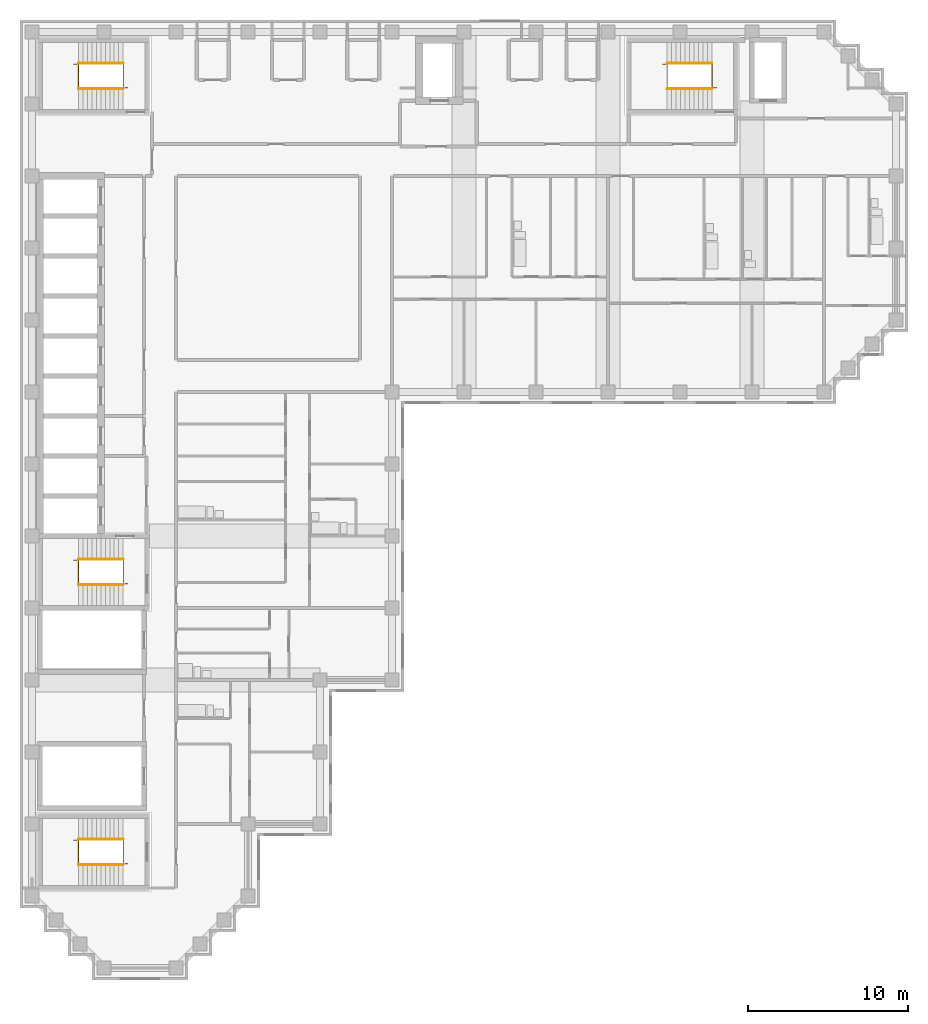
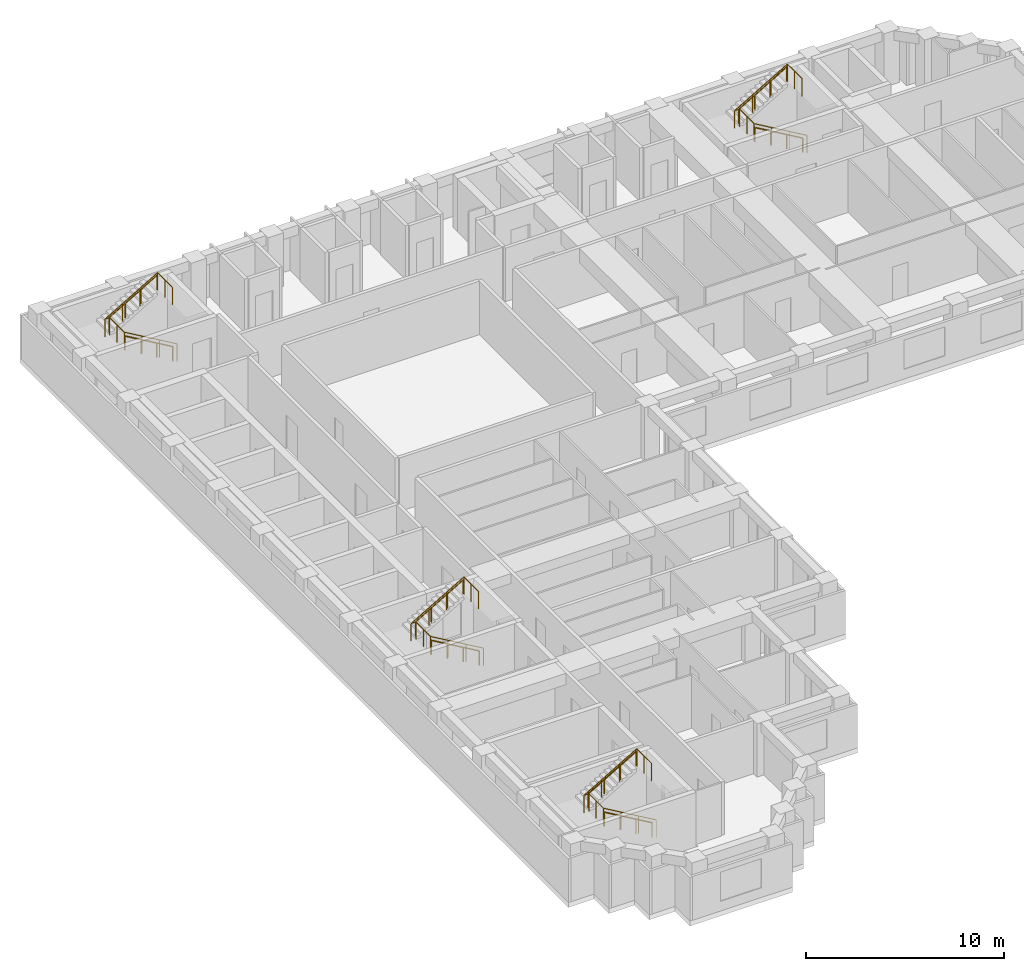
# One storey, part 9 of 10: 12 railings.
"""IFC4 building model written with IfcOpenShell, lengths in metres."""

from ifc_helpers import new_model, si_unit, direction, frame, origin, origin_2d, place, context, subcontext, project, spatial, circle, extrude, material, type_object, element, save


model = new_model("IFC4")

# Units and contexts
model_context = context("Model", 3, precision=1e-05, world=origin(), true_north=direction((0.0, 1.0)))
body_context = subcontext(model_context, "Body", "Model", "MODEL_VIEW")
ifc_project = project(units=[si_unit("LENGTHUNIT", "METRE"), si_unit("AREAUNIT", "SQUARE_METRE"), si_unit("VOLUMEUNIT", "CUBIC_METRE"), si_unit("PLANEANGLEUNIT", "RADIAN"), si_unit("MASSUNIT", "GRAM", prefix="KILO")], contexts=[model_context])

# Site, building, storey
site_placement = place(None, origin())
site = spatial("IfcSite", under=ifc_project, at=site_placement, CompositionType="ELEMENT")
building_placement = place(site_placement, origin())
building = spatial("IfcBuilding", under=site, at=building_placement, Name="Firuza Court", CompositionType="ELEMENT")
storey_placement = place(building_placement, frame((0.0, 0.0, 189.800048828125)))
storey = spatial("IfcBuildingStorey", under=building, at=storey_placement, Name="L48", CompositionType="ELEMENT", Elevation=189.800048828125)

# Railings
ifc_material_1 = material(Name="Steel S355", Category="steel")
railing_type_1 = type_object("IfcRailingType", Name="Handrail 900", PredefinedType="HANDRAIL", material=ifc_material_1)
railing_1_placement = place(storey_placement, frame((42.5, 54.949951171875, 0.16357421875)))
element("IfcRailing", 1, at=railing_1_placement, inside=storey, type_object=railing_type_1, Name="Handrail S1 flight 1", PredefinedType="HANDRAIL", context=body_context, shape_type="SweptSolid", body=[
    extrude(circle(Radius=0.02490234375, at=origin_2d()), frame((0.0, 0.0, 0.875), z_axis=(-0.863360870873, 0.0, 0.504586966384), x_axis=(0.0, -1.0, 0.0)), (0.0, 0.0, 1.0), 3.2431640625),
    extrude(circle(Radius=0.02001953125, at=origin_2d()), origin(), (0.0, 0.0, 1.0), 0.849853515625),
    extrude(circle(Radius=0.02001953125, at=origin_2d()), frame((-0.933349609375, 0.0, 0.54541015625)), (0.0, 0.0, 1.0), 0.849853515625),
    extrude(circle(Radius=0.02001953125, at=origin_2d()), frame((-1.86669921875, 0.0, 1.091064453125)), (0.0, 0.0, 1.0), 0.849853515625),
    extrude(circle(Radius=0.02001953125, at=origin_2d()), frame((-2.800048828125, 0.0, 1.636474609375)), (0.0, 0.0, 1.0), 0.849853515625),
])
railing_2_placement = place(storey_placement, frame((39.699951171875, 56.550048828125, 1.963623046875)))
element("IfcRailing", 2, at=railing_2_placement, inside=storey, type_object=railing_type_1, Name="Handrail S1 flight 2", PredefinedType="HANDRAIL", context=body_context, shape_type="SweptSolid", body=[
    extrude(circle(Radius=0.02490234375, at=origin_2d()), frame((0.0, 0.0, 0.875), z_axis=(0.863393664356, 0.0, 0.504530851732), x_axis=(0.0, 1.0, 0.0)), (0.0, 0.0, 1.0), 3.2431640625),
    extrude(circle(Radius=0.02001953125, at=origin_2d()), origin(), (0.0, 0.0, 1.0), 0.849853515625),
    extrude(circle(Radius=0.02001953125, at=origin_2d()), frame((0.933349609375, 0.0, 0.54541015625)), (0.0, 0.0, 1.0), 0.849853515625),
    extrude(circle(Radius=0.02001953125, at=origin_2d()), frame((1.86669921875, 0.0, 1.0908203125)), (0.0, 0.0, 1.0), 0.849853515625),
    extrude(circle(Radius=0.02001953125, at=origin_2d()), frame((2.800048828125, 0.0, 1.63623046875)), (0.0, 0.0, 1.0), 0.849853515625),
])
railing_3_placement = place(storey_placement, frame((5.699951171875, 23.949951171875, 0.16357421875)))
element("IfcRailing", 3, at=railing_3_placement, inside=storey, type_object=railing_type_1, Name="Handrail S2 flight 1", PredefinedType="HANDRAIL", context=body_context, shape_type="SweptSolid", body=[
    extrude(circle(Radius=0.02490234375, at=origin_2d()), frame((0.0, 0.0, 0.875), z_axis=(-0.863360870873, 0.0, 0.504586966384), x_axis=(0.0, -1.0, 0.0)), (0.0, 0.0, 1.0), 3.2431640625),
    extrude(circle(Radius=0.02001953125, at=origin_2d()), origin(), (0.0, 0.0, 1.0), 0.849853515625),
    extrude(circle(Radius=0.02001953125, at=origin_2d()), frame((-0.933349609375, 0.0, 0.54541015625)), (0.0, 0.0, 1.0), 0.849853515625),
    extrude(circle(Radius=0.02001953125, at=origin_2d()), frame((-1.86669921875, 0.0, 1.091064453125)), (0.0, 0.0, 1.0), 0.849853515625),
    extrude(circle(Radius=0.02001953125, at=origin_2d()), frame((-2.800048828125, 0.0, 1.636474609375)), (0.0, 0.0, 1.0), 0.849853515625),
])
railing_4_placement = place(storey_placement, frame((2.89990234375, 25.550048828125, 1.963623046875)))
element("IfcRailing", 4, at=railing_4_placement, inside=storey, type_object=railing_type_1, Name="Handrail S2 flight 2", PredefinedType="HANDRAIL", context=body_context, shape_type="SweptSolid", body=[
    extrude(circle(Radius=0.02490234375, at=origin_2d()), frame((0.0, 0.0, 0.875), z_axis=(0.863393664356, 0.0, 0.504530851732), x_axis=(0.0, 1.0, 0.0)), (0.0, 0.0, 1.0), 3.2431640625),
    extrude(circle(Radius=0.02001953125, at=origin_2d()), origin(), (0.0, 0.0, 1.0), 0.849853515625),
    extrude(circle(Radius=0.02001953125, at=origin_2d()), frame((0.933349609375, 0.0, 0.54541015625)), (0.0, 0.0, 1.0), 0.849853515625),
    extrude(circle(Radius=0.02001953125, at=origin_2d()), frame((1.86669921875, 0.0, 1.0908203125)), (0.0, 0.0, 1.0), 0.849853515625),
    extrude(circle(Radius=0.02001953125, at=origin_2d()), frame((2.800048828125, 0.0, 1.63623046875)), (0.0, 0.0, 1.0), 0.849853515625),
])
railing_5_placement = place(storey_placement, frame((5.699951171875, 54.949951171875, 0.16357421875)))
element("IfcRailing", 5, at=railing_5_placement, inside=storey, type_object=railing_type_1, Name="Handrail S3 flight 1", PredefinedType="HANDRAIL", context=body_context, shape_type="SweptSolid", body=[
    extrude(circle(Radius=0.02490234375, at=origin_2d()), frame((0.0, 0.0, 0.875), z_axis=(-0.863360870873, 0.0, 0.504586966384), x_axis=(0.0, -1.0, 0.0)), (0.0, 0.0, 1.0), 3.2431640625),
    extrude(circle(Radius=0.02001953125, at=origin_2d()), origin(), (0.0, 0.0, 1.0), 0.849853515625),
    extrude(circle(Radius=0.02001953125, at=origin_2d()), frame((-0.933349609375, 0.0, 0.54541015625)), (0.0, 0.0, 1.0), 0.849853515625),
    extrude(circle(Radius=0.02001953125, at=origin_2d()), frame((-1.86669921875, 0.0, 1.091064453125)), (0.0, 0.0, 1.0), 0.849853515625),
    extrude(circle(Radius=0.02001953125, at=origin_2d()), frame((-2.800048828125, 0.0, 1.636474609375)), (0.0, 0.0, 1.0), 0.849853515625),
])
railing_6_placement = place(storey_placement, frame((2.89990234375, 56.550048828125, 1.963623046875)))
element("IfcRailing", 6, at=railing_6_placement, inside=storey, type_object=railing_type_1, Name="Handrail S3 flight 2", PredefinedType="HANDRAIL", context=body_context, shape_type="SweptSolid", body=[
    extrude(circle(Radius=0.02490234375, at=origin_2d()), frame((0.0, 0.0, 0.875), z_axis=(0.863393664356, 0.0, 0.504530851732), x_axis=(0.0, 1.0, 0.0)), (0.0, 0.0, 1.0), 3.2431640625),
    extrude(circle(Radius=0.02001953125, at=origin_2d()), origin(), (0.0, 0.0, 1.0), 0.849853515625),
    extrude(circle(Radius=0.02001953125, at=origin_2d()), frame((0.933349609375, 0.0, 0.54541015625)), (0.0, 0.0, 1.0), 0.849853515625),
    extrude(circle(Radius=0.02001953125, at=origin_2d()), frame((1.86669921875, 0.0, 1.0908203125)), (0.0, 0.0, 1.0), 0.849853515625),
    extrude(circle(Radius=0.02001953125, at=origin_2d()), frame((2.800048828125, 0.0, 1.63623046875)), (0.0, 0.0, 1.0), 0.849853515625),
])
railing_7_placement = place(storey_placement, frame((5.699951171875, 6.449951171875, 0.16357421875)))
element("IfcRailing", 7, at=railing_7_placement, inside=storey, type_object=railing_type_1, Name="Handrail S5 flight 1", PredefinedType="HANDRAIL", context=body_context, shape_type="SweptSolid", body=[
    extrude(circle(Radius=0.02490234375, at=origin_2d()), frame((0.0, 0.0, 0.875), z_axis=(-0.863360870873, 0.0, 0.504586966384), x_axis=(0.0, -1.0, 0.0)), (0.0, 0.0, 1.0), 3.2431640625),
    extrude(circle(Radius=0.02001953125, at=origin_2d()), origin(), (0.0, 0.0, 1.0), 0.849853515625),
    extrude(circle(Radius=0.02001953125, at=origin_2d()), frame((-0.933349609375, 0.0, 0.54541015625)), (0.0, 0.0, 1.0), 0.849853515625),
    extrude(circle(Radius=0.02001953125, at=origin_2d()), frame((-1.86669921875, 0.0, 1.091064453125)), (0.0, 0.0, 1.0), 0.849853515625),
    extrude(circle(Radius=0.02001953125, at=origin_2d()), frame((-2.800048828125, 0.0, 1.636474609375)), (0.0, 0.0, 1.0), 0.849853515625),
])
railing_8_placement = place(storey_placement, frame((2.89990234375, 8.050048828125, 1.963623046875)))
element("IfcRailing", 8, at=railing_8_placement, inside=storey, type_object=railing_type_1, Name="Handrail S5 flight 2", PredefinedType="HANDRAIL", context=body_context, shape_type="SweptSolid", body=[
    extrude(circle(Radius=0.02490234375, at=origin_2d()), frame((0.0, 0.0, 0.875), z_axis=(0.863393664356, 0.0, 0.504530851732), x_axis=(0.0, 1.0, 0.0)), (0.0, 0.0, 1.0), 3.2431640625),
    extrude(circle(Radius=0.02001953125, at=origin_2d()), origin(), (0.0, 0.0, 1.0), 0.849853515625),
    extrude(circle(Radius=0.02001953125, at=origin_2d()), frame((0.933349609375, 0.0, 0.54541015625)), (0.0, 0.0, 1.0), 0.849853515625),
    extrude(circle(Radius=0.02001953125, at=origin_2d()), frame((1.86669921875, 0.0, 1.0908203125)), (0.0, 0.0, 1.0), 0.849853515625),
    extrude(circle(Radius=0.02001953125, at=origin_2d()), frame((2.800048828125, 0.0, 1.63623046875)), (0.0, 0.0, 1.0), 0.849853515625),
])
ifc_material_2 = material(Name="Steel S355", Category="steel")
railing_type_2 = type_object("IfcRailingType", Name="Stair guard 1100", PredefinedType="GUARDRAIL", material=ifc_material_2)
railing_9_placement = place(storey_placement, frame((42.780029296875, 55.010009765625, 0.0)))
element("IfcRailing", 9, at=railing_9_placement, inside=storey, type_object=railing_type_2, Name="Stair well guard S1", PredefinedType="GUARDRAIL", context=body_context, shape_type="SweptSolid", body=[
    extrude(circle(Radius=0.02490234375, at=origin_2d()), frame((0.0, 0.0, 1.0751953125), z_axis=(-0.863371556955, 0.0, 0.504568681787), x_axis=(0.0, -1.0, 0.0)), (0.0, 0.0, 1.0), 3.5673828125),
    extrude(circle(Radius=0.02490234375, at=origin_2d()), frame((-3.080078125, 0.0, 2.875), z_axis=(0.0, 1.0, 0.0), x_axis=(-1.0, 0.0, 0.0)), (0.0, 0.0, 1.0), 1.47998046875),
    extrude(circle(Radius=0.02490234375, at=origin_2d()), frame((-3.080078125, 1.47998046875, 2.875), z_axis=(-1.0, 0.0, 0.0), x_axis=(0.0, -1.0, 0.0)), (0.0, 0.0, 1.0), 0.280029296875),
    extrude(circle(Radius=0.02490234375, at=origin_2d()), frame((-3.360107421875, 1.47998046875, 2.875), z_axis=(0.863401368682, 0.0, 0.504517667242), x_axis=(0.0, 1.0, 0.0)), (0.0, 0.0, 1.0), 3.5673828125),
    extrude(circle(Radius=0.02490234375, at=origin_2d()), frame((-0.280029296875, 1.47998046875, 4.6748046875), z_axis=(0.0, -1.0, 0.0), x_axis=(1.0, 0.0, 0.0)), (0.0, 0.0, 1.0), 1.47998046875),
    extrude(circle(Radius=0.02490234375, at=origin_2d()), origin(), (0.0, 0.0, 1.0), 1.050048828125),
    extrude(circle(Radius=0.02490234375, at=origin_2d()), frame((-1.026611328125, 0.0, 0.60009765625)), (0.0, 0.0, 1.0), 1.050048828125),
    extrude(circle(Radius=0.02490234375, at=origin_2d()), frame((-2.053466796875, 0.0, 1.199951171875)), (0.0, 0.0, 1.0), 1.050048828125),
    extrude(circle(Radius=0.02490234375, at=origin_2d()), frame((-3.080078125, 0.0, 1.800048828125)), (0.0, 0.0, 1.0), 1.050048828125),
    extrude(circle(Radius=0.02490234375, at=origin_2d()), frame((-3.080078125, 0.739990234375, 1.800048828125)), (0.0, 0.0, 1.0), 1.050048828125),
    extrude(circle(Radius=0.02490234375, at=origin_2d()), frame((-3.080078125, 1.47998046875, 1.800048828125)), (0.0, 0.0, 1.0), 1.050048828125),
    extrude(circle(Radius=0.02490234375, at=origin_2d()), frame((-3.360107421875, 1.47998046875, 1.800048828125)), (0.0, 0.0, 1.0), 1.050048828125),
    extrude(circle(Radius=0.02490234375, at=origin_2d()), frame((-2.33349609375, 1.47998046875, 2.39990234375)), (0.0, 0.0, 1.0), 1.050048828125),
    extrude(circle(Radius=0.02490234375, at=origin_2d()), frame((-1.306640625, 1.47998046875, 3.0)), (0.0, 0.0, 1.0), 1.050048828125),
    extrude(circle(Radius=0.02490234375, at=origin_2d()), frame((-0.280029296875, 1.47998046875, 3.599853515625)), (0.0, 0.0, 1.0), 1.050048828125),
    extrude(circle(Radius=0.02490234375, at=origin_2d()), frame((-0.280029296875, 0.739990234375, 3.599853515625)), (0.0, 0.0, 1.0), 1.050048828125),
    extrude(circle(Radius=0.02490234375, at=origin_2d()), frame((-0.280029296875, 0.0, 3.599853515625)), (0.0, 0.0, 1.0), 1.050048828125),
])
railing_10_placement = place(storey_placement, frame((5.97998046875, 24.010009765625, 0.0)))
element("IfcRailing", 10, at=railing_10_placement, inside=storey, type_object=railing_type_2, Name="Stair well guard S2", PredefinedType="GUARDRAIL", context=body_context, shape_type="SweptSolid", body=[
    extrude(circle(Radius=0.02490234375, at=origin_2d()), frame((0.0, 0.0, 1.0751953125), z_axis=(-0.863371556955, 0.0, 0.504568681787), x_axis=(0.0, -1.0, 0.0)), (0.0, 0.0, 1.0), 3.5673828125),
    extrude(circle(Radius=0.02490234375, at=origin_2d()), frame((-3.080078125, 0.0, 2.875), z_axis=(0.0, 1.0, 0.0), x_axis=(-1.0, 0.0, 0.0)), (0.0, 0.0, 1.0), 1.47998046875),
    extrude(circle(Radius=0.02490234375, at=origin_2d()), frame((-3.080078125, 1.47998046875, 2.875), z_axis=(-1.0, 0.0, 0.0), x_axis=(0.0, -1.0, 0.0)), (0.0, 0.0, 1.0), 0.27978515625),
    extrude(circle(Radius=0.02490234375, at=origin_2d()), frame((-3.35986328125, 1.47998046875, 2.875), z_axis=(0.863383947312, 0.0, 0.504547479951), x_axis=(0.0, 1.0, 0.0)), (0.0, 0.0, 1.0), 3.567138671875),
    extrude(circle(Radius=0.02490234375, at=origin_2d()), frame((-0.280029296875, 1.47998046875, 4.6748046875), z_axis=(0.0, -1.0, 0.0), x_axis=(1.0, 0.0, 0.0)), (0.0, 0.0, 1.0), 1.47998046875),
    extrude(circle(Radius=0.02490234375, at=origin_2d()), origin(), (0.0, 0.0, 1.0), 1.050048828125),
    extrude(circle(Radius=0.02490234375, at=origin_2d()), frame((-1.026611328125, 0.0, 0.60009765625)), (0.0, 0.0, 1.0), 1.050048828125),
    extrude(circle(Radius=0.02490234375, at=origin_2d()), frame((-2.053466796875, 0.0, 1.199951171875)), (0.0, 0.0, 1.0), 1.050048828125),
    extrude(circle(Radius=0.02490234375, at=origin_2d()), frame((-3.080078125, 0.0, 1.800048828125)), (0.0, 0.0, 1.0), 1.050048828125),
    extrude(circle(Radius=0.02490234375, at=origin_2d()), frame((-3.080078125, 0.739990234375, 1.800048828125)), (0.0, 0.0, 1.0), 1.050048828125),
    extrude(circle(Radius=0.02490234375, at=origin_2d()), frame((-3.080078125, 1.47998046875, 1.800048828125)), (0.0, 0.0, 1.0), 1.050048828125),
    extrude(circle(Radius=0.02490234375, at=origin_2d()), frame((-3.35986328125, 1.47998046875, 1.800048828125)), (0.0, 0.0, 1.0), 1.050048828125),
    extrude(circle(Radius=0.02490234375, at=origin_2d()), frame((-2.333251953125, 1.47998046875, 2.39990234375)), (0.0, 0.0, 1.0), 1.050048828125),
    extrude(circle(Radius=0.02490234375, at=origin_2d()), frame((-1.306640625, 1.47998046875, 3.0)), (0.0, 0.0, 1.0), 1.050048828125),
    extrude(circle(Radius=0.02490234375, at=origin_2d()), frame((-0.280029296875, 1.47998046875, 3.599853515625)), (0.0, 0.0, 1.0), 1.050048828125),
    extrude(circle(Radius=0.02490234375, at=origin_2d()), frame((-0.280029296875, 0.739990234375, 3.599853515625)), (0.0, 0.0, 1.0), 1.050048828125),
    extrude(circle(Radius=0.02490234375, at=origin_2d()), frame((-0.280029296875, 0.0, 3.599853515625)), (0.0, 0.0, 1.0), 1.050048828125),
])
railing_11_placement = place(storey_placement, frame((5.97998046875, 55.010009765625, 0.0)))
element("IfcRailing", 11, at=railing_11_placement, inside=storey, type_object=railing_type_2, Name="Stair well guard S3", PredefinedType="GUARDRAIL", context=body_context, shape_type="SweptSolid", body=[
    extrude(circle(Radius=0.02490234375, at=origin_2d()), frame((0.0, 0.0, 1.0751953125), z_axis=(-0.863371556955, 0.0, 0.504568681787), x_axis=(0.0, -1.0, 0.0)), (0.0, 0.0, 1.0), 3.5673828125),
    extrude(circle(Radius=0.02490234375, at=origin_2d()), frame((-3.080078125, 0.0, 2.875), z_axis=(0.0, 1.0, 0.0), x_axis=(-1.0, 0.0, 0.0)), (0.0, 0.0, 1.0), 1.47998046875),
    extrude(circle(Radius=0.02490234375, at=origin_2d()), frame((-3.080078125, 1.47998046875, 2.875), z_axis=(-1.0, 0.0, 0.0), x_axis=(0.0, -1.0, 0.0)), (0.0, 0.0, 1.0), 0.27978515625),
    extrude(circle(Radius=0.02490234375, at=origin_2d()), frame((-3.35986328125, 1.47998046875, 2.875), z_axis=(0.863383947312, 0.0, 0.504547479951), x_axis=(0.0, 1.0, 0.0)), (0.0, 0.0, 1.0), 3.567138671875),
    extrude(circle(Radius=0.02490234375, at=origin_2d()), frame((-0.280029296875, 1.47998046875, 4.6748046875), z_axis=(0.0, -1.0, 0.0), x_axis=(1.0, 0.0, 0.0)), (0.0, 0.0, 1.0), 1.47998046875),
    extrude(circle(Radius=0.02490234375, at=origin_2d()), origin(), (0.0, 0.0, 1.0), 1.050048828125),
    extrude(circle(Radius=0.02490234375, at=origin_2d()), frame((-1.026611328125, 0.0, 0.60009765625)), (0.0, 0.0, 1.0), 1.050048828125),
    extrude(circle(Radius=0.02490234375, at=origin_2d()), frame((-2.053466796875, 0.0, 1.199951171875)), (0.0, 0.0, 1.0), 1.050048828125),
    extrude(circle(Radius=0.02490234375, at=origin_2d()), frame((-3.080078125, 0.0, 1.800048828125)), (0.0, 0.0, 1.0), 1.050048828125),
    extrude(circle(Radius=0.02490234375, at=origin_2d()), frame((-3.080078125, 0.739990234375, 1.800048828125)), (0.0, 0.0, 1.0), 1.050048828125),
    extrude(circle(Radius=0.02490234375, at=origin_2d()), frame((-3.080078125, 1.47998046875, 1.800048828125)), (0.0, 0.0, 1.0), 1.050048828125),
    extrude(circle(Radius=0.02490234375, at=origin_2d()), frame((-3.35986328125, 1.47998046875, 1.800048828125)), (0.0, 0.0, 1.0), 1.050048828125),
    extrude(circle(Radius=0.02490234375, at=origin_2d()), frame((-2.333251953125, 1.47998046875, 2.39990234375)), (0.0, 0.0, 1.0), 1.050048828125),
    extrude(circle(Radius=0.02490234375, at=origin_2d()), frame((-1.306640625, 1.47998046875, 3.0)), (0.0, 0.0, 1.0), 1.050048828125),
    extrude(circle(Radius=0.02490234375, at=origin_2d()), frame((-0.280029296875, 1.47998046875, 3.599853515625)), (0.0, 0.0, 1.0), 1.050048828125),
    extrude(circle(Radius=0.02490234375, at=origin_2d()), frame((-0.280029296875, 0.739990234375, 3.599853515625)), (0.0, 0.0, 1.0), 1.050048828125),
    extrude(circle(Radius=0.02490234375, at=origin_2d()), frame((-0.280029296875, 0.0, 3.599853515625)), (0.0, 0.0, 1.0), 1.050048828125),
])
railing_12_placement = place(storey_placement, frame((5.97998046875, 6.510009765625, 0.0)))
element("IfcRailing", 12, at=railing_12_placement, inside=storey, type_object=railing_type_2, Name="Stair well guard S5", PredefinedType="GUARDRAIL", context=body_context, shape_type="SweptSolid", body=[
    extrude(circle(Radius=0.02490234375, at=origin_2d()), frame((0.0, 0.0, 1.0751953125), z_axis=(-0.863371556955, 0.0, 0.504568681787), x_axis=(0.0, -1.0, 0.0)), (0.0, 0.0, 1.0), 3.5673828125),
    extrude(circle(Radius=0.02490234375, at=origin_2d()), frame((-3.080078125, 0.0, 2.875), z_axis=(0.0, 1.0, 0.0), x_axis=(-1.0, 0.0, 0.0)), (0.0, 0.0, 1.0), 1.47998046875),
    extrude(circle(Radius=0.02490234375, at=origin_2d()), frame((-3.080078125, 1.47998046875, 2.875), z_axis=(-1.0, 0.0, 0.0), x_axis=(0.0, -1.0, 0.0)), (0.0, 0.0, 1.0), 0.27978515625),
    extrude(circle(Radius=0.02490234375, at=origin_2d()), frame((-3.35986328125, 1.47998046875, 2.875), z_axis=(0.863383947312, 0.0, 0.504547479951), x_axis=(0.0, 1.0, 0.0)), (0.0, 0.0, 1.0), 3.567138671875),
    extrude(circle(Radius=0.02490234375, at=origin_2d()), frame((-0.280029296875, 1.47998046875, 4.6748046875), z_axis=(0.0, -1.0, 0.0), x_axis=(1.0, 0.0, 0.0)), (0.0, 0.0, 1.0), 1.47998046875),
    extrude(circle(Radius=0.02490234375, at=origin_2d()), origin(), (0.0, 0.0, 1.0), 1.050048828125),
    extrude(circle(Radius=0.02490234375, at=origin_2d()), frame((-1.026611328125, 0.0, 0.60009765625)), (0.0, 0.0, 1.0), 1.050048828125),
    extrude(circle(Radius=0.02490234375, at=origin_2d()), frame((-2.053466796875, 0.0, 1.199951171875)), (0.0, 0.0, 1.0), 1.050048828125),
    extrude(circle(Radius=0.02490234375, at=origin_2d()), frame((-3.080078125, 0.0, 1.800048828125)), (0.0, 0.0, 1.0), 1.050048828125),
    extrude(circle(Radius=0.02490234375, at=origin_2d()), frame((-3.080078125, 0.739990234375, 1.800048828125)), (0.0, 0.0, 1.0), 1.050048828125),
    extrude(circle(Radius=0.02490234375, at=origin_2d()), frame((-3.080078125, 1.47998046875, 1.800048828125)), (0.0, 0.0, 1.0), 1.050048828125),
    extrude(circle(Radius=0.02490234375, at=origin_2d()), frame((-3.35986328125, 1.47998046875, 1.800048828125)), (0.0, 0.0, 1.0), 1.050048828125),
    extrude(circle(Radius=0.02490234375, at=origin_2d()), frame((-2.333251953125, 1.47998046875, 2.39990234375)), (0.0, 0.0, 1.0), 1.050048828125),
    extrude(circle(Radius=0.02490234375, at=origin_2d()), frame((-1.306640625, 1.47998046875, 3.0)), (0.0, 0.0, 1.0), 1.050048828125),
    extrude(circle(Radius=0.02490234375, at=origin_2d()), frame((-0.280029296875, 1.47998046875, 3.599853515625)), (0.0, 0.0, 1.0), 1.050048828125),
    extrude(circle(Radius=0.02490234375, at=origin_2d()), frame((-0.280029296875, 0.739990234375, 3.599853515625)), (0.0, 0.0, 1.0), 1.050048828125),
    extrude(circle(Radius=0.02490234375, at=origin_2d()), frame((-0.280029296875, 0.0, 3.599853515625)), (0.0, 0.0, 1.0), 1.050048828125),
])

save(model, "model.ifc")
